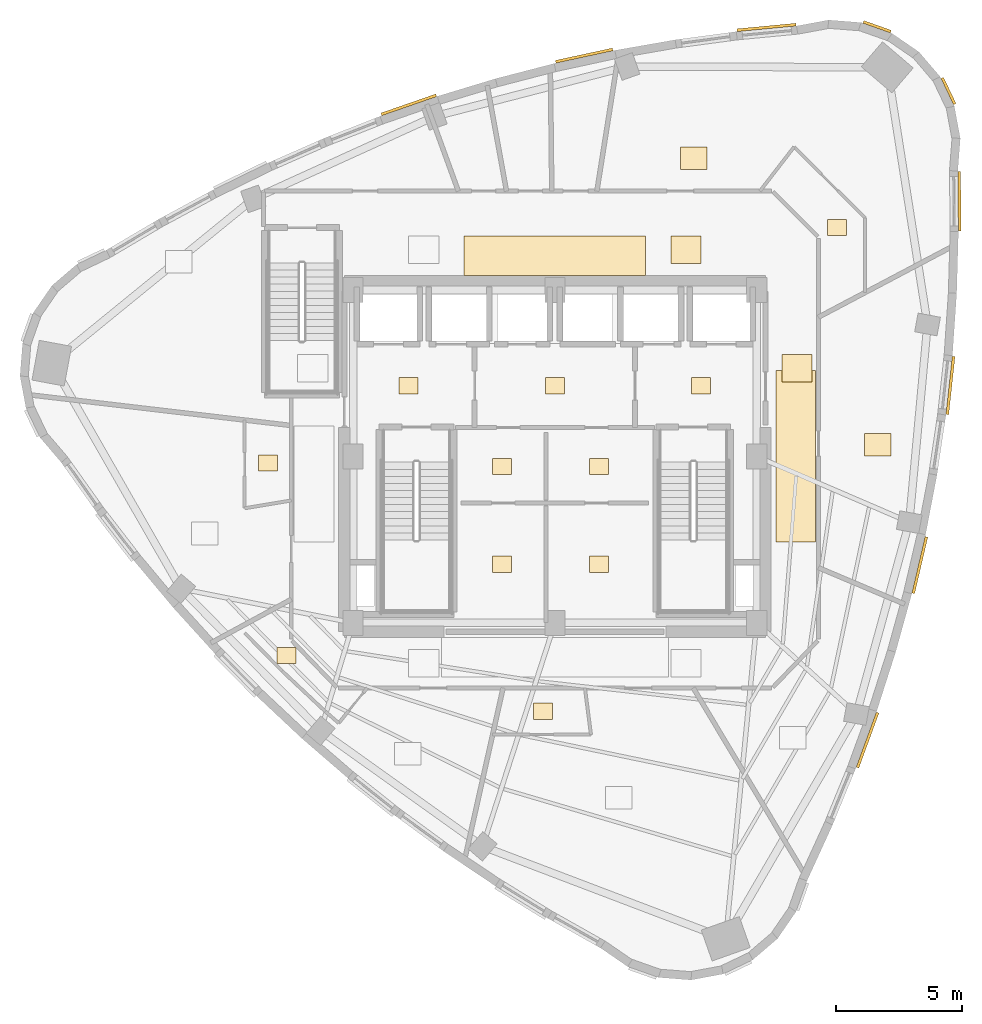
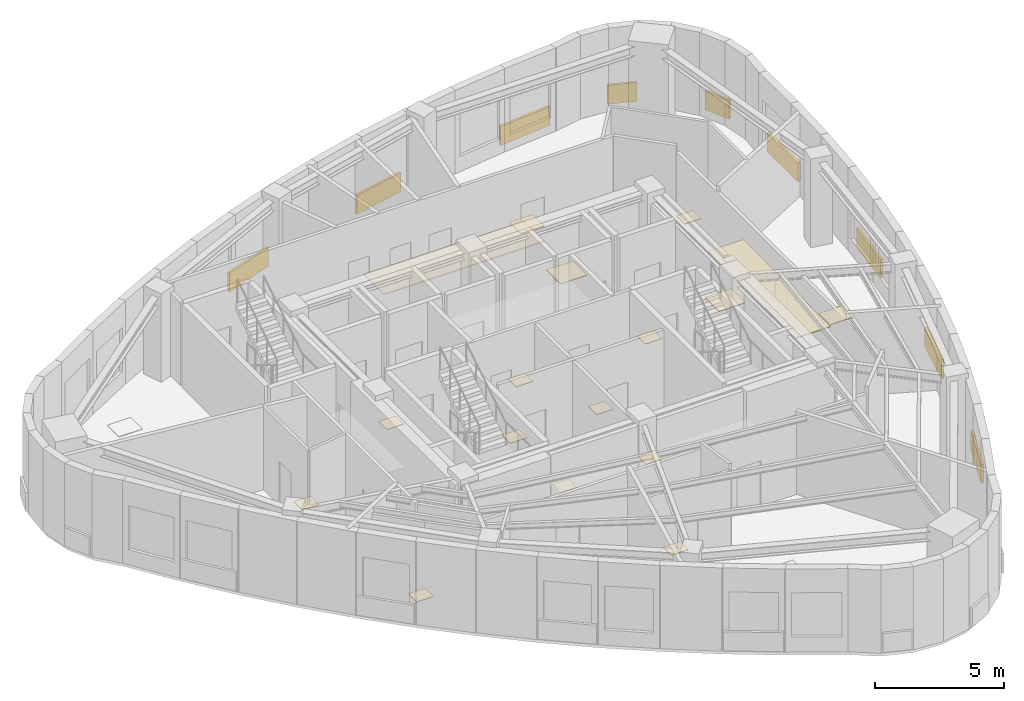
# One storey, part 9 of 9: 26 coverings.
"""IFC4 building model written with IfcOpenShell, lengths in metres."""

from ifc_helpers import new_model, si_unit, direction, frame, origin, origin_2d, place, context, subcontext, project, spatial, rectangle, extrude, material, layer, layer_set, type_object, element, save


model = new_model("IFC4")

# Units and contexts
model_context = context("Model", 3, precision=1e-05, world=origin(), true_north=direction((0.0, 1.0)))
body_context = subcontext(model_context, "Body", "Model", "MODEL_VIEW")
ifc_project = project(units=[si_unit("LENGTHUNIT", "METRE"), si_unit("AREAUNIT", "SQUARE_METRE"), si_unit("VOLUMEUNIT", "CUBIC_METRE"), si_unit("PLANEANGLEUNIT", "RADIAN"), si_unit("MASSUNIT", "GRAM", prefix="KILO")], contexts=[model_context])

# Site, building, storey
site_placement = place(None, origin())
site = spatial("IfcSite", under=ifc_project, at=site_placement, CompositionType="ELEMENT")
building_placement = place(site_placement, origin())
building = spatial("IfcBuilding", under=site, at=building_placement, Name="Ndelora Gate Hotel", CompositionType="ELEMENT")
storey_placement = place(building_placement, frame((0.0, 0.0, 268.60009765625)))
storey = spatial("IfcBuildingStorey", under=building, at=storey_placement, Name="L67", CompositionType="ELEMENT", Elevation=268.60009765625)

# Coverings
ifc_material_1 = material(Name="Perforated Acoustic Gypsum Board", Category="gypsum")
ifc_layer_1 = layer(ifc_material_1, 0.054931640625)
ifc_layer_set_1 = layer_set([ifc_layer_1], Name="Perforated Acoustic Gypsum Board")
covering_type_1 = type_object("IfcCoveringType", Name="COV-CEIL-AC60", PredefinedType="CEILING", material=ifc_layer_set_1)
covering_1_placement = place(storey_placement, frame((0.0, 7.9599609375, 2.65234375), z_axis=(0.0, 0.0, 1.0), x_axis=(1.0, 0.0, 0.0)))
element("IfcCovering", 1, at=covering_1_placement, inside=storey, type_object=covering_type_1, Name="L67 Guest Corridor Acoustic Ceiling N", PredefinedType="CEILING", context=body_context, shape_type="SweptSolid", body=[
    extrude(rectangle(XDim=7.199951171875, YDim=1.580078125, at=origin_2d()), origin(), (0.0, 0.0, 1.0), 0.054931640625),
])
covering_2_placement = place(storey_placement, frame((9.550048828125, 0.0, 2.65234375), z_axis=(0.0, 0.0, 1.0), x_axis=(1.0, 0.0, 0.0)))
element("IfcCovering", 2, at=covering_2_placement, inside=storey, type_object=covering_type_1, Name="L67 Guest Corridor Acoustic Ceiling E", PredefinedType="CEILING", context=body_context, shape_type="SweptSolid", body=[
    extrude(rectangle(XDim=1.580078125, YDim=6.800048828125, at=origin_2d()), origin(), (0.0, 0.0, 1.0), 0.054931640625),
])
ifc_material_2 = material(Name="Terracotta Fired Clay Brick Slip Cladding", Category="masonry")
ifc_layer_2 = layer(ifc_material_2, 0.110107421875)
ifc_layer_set_2 = layer_set([ifc_layer_2], Name="Terracotta Fired Clay Brick Slip Cladding")
covering_type_2 = type_object("IfcCoveringType", Name="COV-CLAD-BRK", PredefinedType="CLADDING", material=ifc_layer_set_2)
covering_3_placement = place(storey_placement, frame((12.397216796875, -11.245849609375, 0.099853515625), z_axis=(0.0, 0.0, 1.0), x_axis=(0.343331867922, 0.939214154743, 0.0)))
element("IfcCovering", 3, at=covering_3_placement, inside=storey, type_object=covering_type_2, Name="L67 Rounded-Corner Brick Cladding Band 31", PredefinedType="CLADDING", context=body_context, shape_type="SweptSolid", body=[
    extrude(rectangle(XDim=2.322021484375, YDim=0.110107421875, at=origin_2d()), origin(), (0.0, 0.0, 1.0), 0.89990234375),
])
covering_4_placement = place(storey_placement, frame((14.470947265625, -4.305908203125, 0.099853515625), z_axis=(0.0, 0.0, 1.0), x_axis=(0.227671128223, 0.973738084586, 0.0)))
element("IfcCovering", 4, at=covering_4_placement, inside=storey, type_object=covering_type_2, Name="L67 Rounded-Corner Brick Cladding Band 34", PredefinedType="CLADDING", context=body_context, shape_type="SweptSolid", body=[
    extrude(rectangle(XDim=2.298095703125, YDim=0.110107421875, at=origin_2d()), origin(), (0.0, 0.0, 1.0), 0.89990234375),
])
covering_5_placement = place(storey_placement, frame((15.685546875, 2.816650390625, 0.099853515625), z_axis=(0.0, 0.0, 1.0), x_axis=(0.108172866136, 0.994132099387, 0.0)))
element("IfcCovering", 5, at=covering_5_placement, inside=storey, type_object=covering_type_2, Name="L67 Rounded-Corner Brick Cladding Band 37", PredefinedType="CLADDING", context=body_context, shape_type="SweptSolid", body=[
    extrude(rectangle(XDim=2.31005859375, YDim=0.110107421875, at=origin_2d()), origin(), (0.0, 0.0, 1.0), 0.89990234375),
])
covering_6_placement = place(storey_placement, frame((16.041259765625, 10.120849609375, 0.099853515625), z_axis=(0.0, 0.0, 1.0), x_axis=(-0.009948212638, 0.999950515308, 0.0)))
element("IfcCovering", 6, at=covering_6_placement, inside=storey, type_object=covering_type_2, Name="L67 Rounded-Corner Brick Cladding Band 40", PredefinedType="CLADDING", context=body_context, shape_type="SweptSolid", body=[
    extrude(rectangle(XDim=2.35693359375, YDim=0.110107421875, at=origin_2d()), origin(), (0.0, 0.0, 1.0), 0.89990234375),
])
for number, where, z_axis, x_axis, name in (
    (7, (15.60791015625, 14.48779296875, 0.099853515625), (0.0, 0.0, 1.0), (-0.430511096808, 0.90258528435, 0.0), "L67 Rounded-Corner Brick Cladding Band 43"),
    (8, (12.77685546875, 17.036865234375, 0.099853515625), (0.0, 0.0, 1.0), (-0.942641491092, 0.333806859234, 0.0), "L67 Rounded-Corner Brick Cladding Band 46"),
):
    element("IfcCovering", number, at=place(storey_placement, frame(where, z_axis=z_axis, x_axis=x_axis)), inside=storey, type_object=covering_type_2, Name=name, PredefinedType="CLADDING", context=body_context, shape_type="SweptSolid", body=[
        extrude(rectangle(XDim=1.153076171875, YDim=0.110107421875, at=origin_2d()), origin(), (0.0, 0.0, 1.0), 0.89990234375),
    ])
covering_7_placement = place(storey_placement, frame((8.388671875, 17.01123046875, 0.099853515625), z_axis=(0.0, 0.0, 1.0), x_axis=(0.995512553138, 0.09462957542, 0.0)))
element("IfcCovering", 9, at=covering_7_placement, inside=storey, type_object=covering_type_2, Name="L67 Rounded-Corner Brick Cladding Band 49", PredefinedType="CLADDING", context=body_context, shape_type="SweptSolid", body=[
    extrude(rectangle(XDim=2.35693359375, YDim=0.110107421875, at=origin_2d()), origin(), (0.0, 0.0, 1.0), 0.89990234375),
])
covering_8_placement = place(storey_placement, frame((1.16162109375, 15.894287109375, 0.099853515625), z_axis=(0.0, 0.0, 1.0), x_axis=(0.977378996264, 0.211495384491, 0.0)))
element("IfcCovering", 10, at=covering_8_placement, inside=storey, type_object=covering_type_2, Name="L67 Rounded-Corner Brick Cladding Band 52", PredefinedType="CLADDING", context=body_context, shape_type="SweptSolid", body=[
    extrude(rectangle(XDim=2.31005859375, YDim=0.110107421875, at=origin_2d()), origin(), (0.0, 0.0, 1.0), 0.89990234375),
])
covering_9_placement = place(storey_placement, frame((-5.794921875, 13.941650390625, 0.099853515625), z_axis=(0.0, 0.0, 1.0), x_axis=(0.944605732311, 0.328207267568, 0.0)))
element("IfcCovering", 11, at=covering_9_placement, inside=storey, type_object=covering_type_2, Name="L67 Rounded-Corner Brick Cladding Band 55", PredefinedType="CLADDING", context=body_context, shape_type="SweptSolid", body=[
    extrude(rectangle(XDim=2.298095703125, YDim=0.110107421875, at=origin_2d()), origin(), (0.0, 0.0, 1.0), 0.89990234375),
])
ifc_material_3 = material(Name="Engineered Highland Oak Parquet", Category="wood")
ifc_layer_3 = layer(ifc_material_3, 0.030029296875)
ifc_layer_set_3 = layer_set([ifc_layer_3], Name="Engineered Highland Oak Parquet")
covering_type_3 = type_object("IfcCoveringType", Name="COV-FLR-PARQ", PredefinedType="FLOORING", material=ifc_layer_set_3)
for number, where, z_axis, x_axis, name in (
    (12, (12.805419921875, 0.46044921875, 0.0), (0.0, 0.0, 1.0), (1.0, 0.0, 0.0), "L67 Crown Horizon Salon Oak Parquet Flooring"),
    (13, (5.49853515625, 11.82373046875, 0.0), (0.0, 0.0, 1.0), (1.0, 0.0, 0.0), "L67 Crown Horizon Suite 7004 Oak Parquet Flooring"),
):
    element("IfcCovering", number, at=place(storey_placement, frame(where, z_axis=z_axis, x_axis=x_axis)), inside=storey, type_object=covering_type_3, Name=name, PredefinedType="FLOORING", context=body_context, shape_type="SweptSolid", body=[
        extrude(rectangle(XDim=1.050048828125, YDim=0.89990234375, at=origin_2d()), origin(), (0.0, 0.0, 1.0), 0.030029296875),
    ])
ifc_material_4 = material(Name="Polished Highland Stone Terrazzo", Category="masonry")
ifc_layer_4 = layer(ifc_material_4, 0.034912109375)
ifc_layer_set_4 = layer_set([ifc_layer_4], Name="Polished Highland Stone Terrazzo")
covering_type_4 = type_object("IfcCoveringType", Name="COV-FLR-TERZ", PredefinedType="FLOORING", material=ifc_layer_set_4)
for number, where, z_axis, x_axis, name in (
    (14, (5.199951171875, 8.199951171875, 0.0), (0.0, 0.0, 1.0), (1.0, 0.0, 0.0), "L67 Corridor Threshold Terrazzo Inlay NE"),
    (15, (9.60009765625, 3.5, 0.0), (0.0, 0.0, 1.0), (1.0, 0.0, 0.0), "L67 Corridor Threshold Terrazzo Inlay E"),
):
    element("IfcCovering", number, at=place(storey_placement, frame(where, z_axis=z_axis, x_axis=x_axis)), inside=storey, type_object=covering_type_4, Name=name, PredefinedType="FLOORING", context=body_context, shape_type="SweptSolid", body=[
        extrude(rectangle(XDim=1.199951171875, YDim=1.10009765625, at=origin_2d()), origin(), (0.0, 0.0, 1.0), 0.034912109375),
    ])
ifc_material_5 = material(Name="Non-Slip Porcelain Wet-Room Tile", Category="ceramic")
ifc_layer_5 = layer(ifc_material_5, 0.02490234375)
ifc_layer_set_5 = layer_set([ifc_layer_5], Name="Non-Slip Porcelain Wet-Room Tile")
covering_type_5 = type_object("IfcCoveringType", Name="COV-FLR-TILE", PredefinedType="FLOORING", material=ifc_layer_set_5)
for number, where, z_axis, x_axis, name in (
    (16, (-5.800048828125, 2.800048828125, 0.0), (0.0, 0.0, 1.0), (1.0, 0.0, 0.0), "L67 Firefighting Lift Lobby West Porcelain Tile Flooring"),
    (17, (5.800048828125, 2.800048828125, 0.0), (0.0, 0.0, 1.0), (1.0, 0.0, 0.0), "L67 Firefighting Lift Lobby East Porcelain Tile Flooring"),
    (18, (0.0, 2.800048828125, 0.0), (0.0, 0.0, 1.0), (1.0, 0.0, 0.0), "L67 Central Passenger Lift Lobby Porcelain Tile Flooring"),
    (19, (-2.10009765625, -0.39990234375, 0.0), (0.0, 0.0, 1.0), (1.0, 0.0, 0.0), "L67 Core Electrical Closet Porcelain Tile Flooring"),
    (20, (1.75, -0.39990234375, 0.0), (0.0, 0.0, 1.0), (1.0, 0.0, 0.0), "L67 Comms Patching Store Porcelain Tile Flooring"),
    (21, (-2.10009765625, -4.27490234375, 0.0), (0.0, 0.0, 1.0), (1.0, 0.0, 0.0), "L67 Valet Laundry Store Porcelain Tile Flooring"),
    (22, (1.75, -4.27490234375, 0.0), (0.0, 0.0, 1.0), (1.0, 0.0, 0.0), "L67 Housekeeping Reserve Store Porcelain Tile Flooring"),
    (23, (-11.375, -0.260498046875, 0.0), (0.0, 0.0, 1.0), (1.0, 0.0, 0.0), "L67 En-suite Bathroom 7001 Porcelain Tile Flooring"),
    (24, (-10.639404296875, -7.89208984375, 0.0), (0.0, 0.0, 1.0), (1.0, 0.0, 0.0), "L67 En-suite Bathroom 7002 Porcelain Tile Flooring"),
    (25, (-0.4755859375, -10.10498046875, 0.0), (0.0, 0.0, 1.0), (1.0, 0.0, 0.0), "L67 En-suite Bathroom 7003 Porcelain Tile Flooring"),
    (26, (11.188720703125, 9.0791015625, 0.0), (0.0, 0.0, 1.0), (1.0, 0.0, 0.0), "L67 En-suite Bathroom 7004 Porcelain Tile Flooring"),
):
    element("IfcCovering", number, at=place(storey_placement, frame(where, z_axis=z_axis, x_axis=x_axis)), inside=storey, type_object=covering_type_5, Name=name, PredefinedType="FLOORING", context=body_context, shape_type="SweptSolid", body=[
        extrude(rectangle(XDim=0.75, YDim=0.64990234375, at=origin_2d()), origin(), (0.0, 0.0, 1.0), 0.02490234375),
    ])

save(model, "model.ifc")
